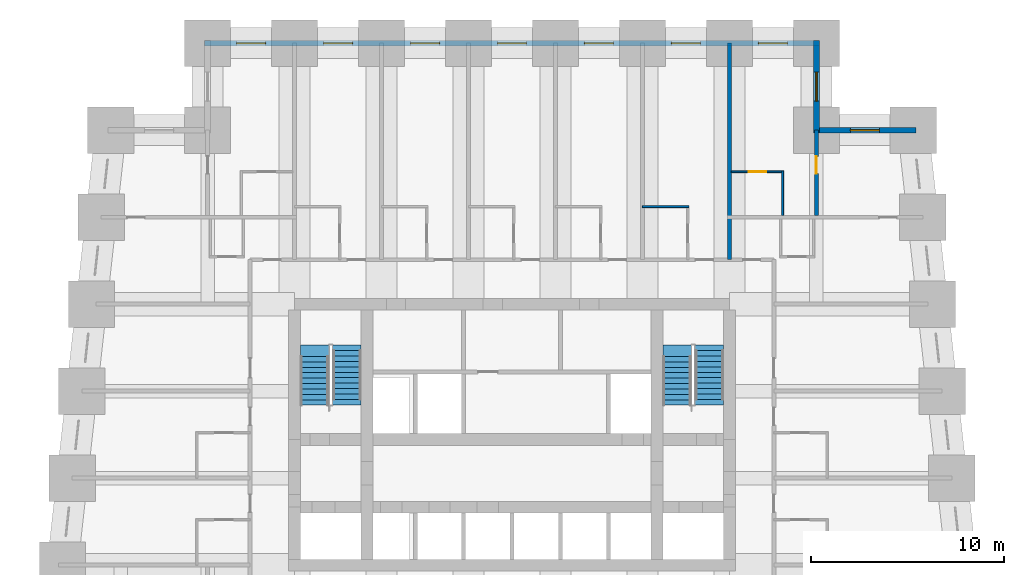
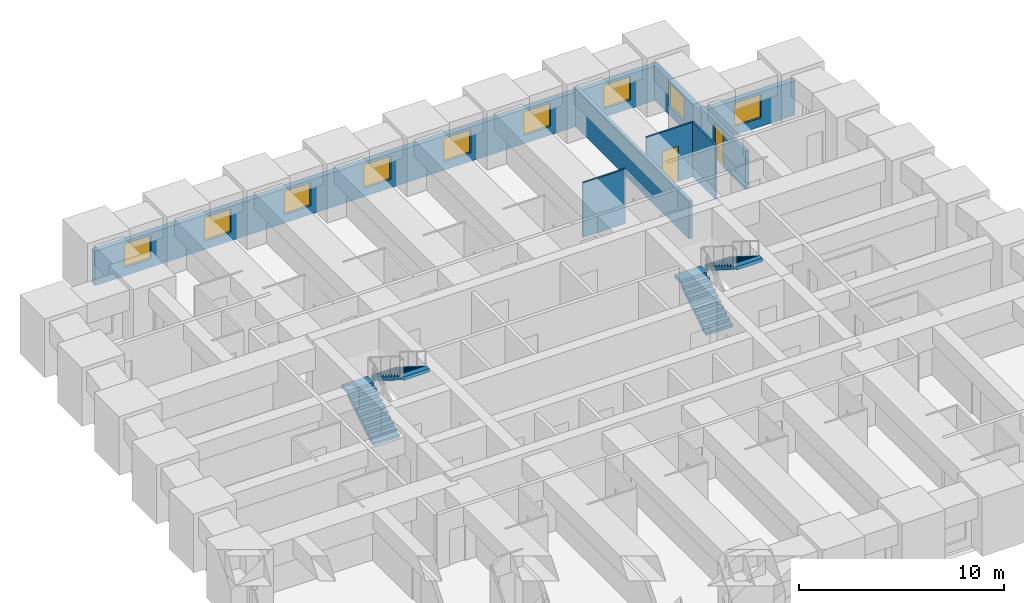
# One storey, part 7 of 8: 9 windows, 8 walls, 4 stair flights, 2 doors, 11 openings, 2 elements without a shape of their own.
"""IFC4 building model written with IfcOpenShell, lengths in metres."""

from ifc_helpers import new_model, si_unit, direction, frame, frame_2d, origin, place, context, subcontext, project, spatial, polyline, rectangle, outline, extrude, material, layer, layer_set, type_object, element, fill, aggregate, save


model = new_model("IFC4")

# Units and contexts
model_context = context("Model", 3, precision=1e-05, world=origin(), true_north=direction((0.0, 1.0)))
body_context = subcontext(model_context, "Body", "Model", "MODEL_VIEW")
ifc_project = project(units=[si_unit("LENGTHUNIT", "METRE"), si_unit("AREAUNIT", "SQUARE_METRE"), si_unit("VOLUMEUNIT", "CUBIC_METRE"), si_unit("PLANEANGLEUNIT", "RADIAN"), si_unit("MASSUNIT", "GRAM", prefix="KILO")], contexts=[model_context])

# Site, building, storey
site_placement = place(None, origin())
site = spatial("IfcSite", under=ifc_project, at=site_placement, CompositionType="ELEMENT")
building_placement = place(site_placement, origin())
building = spatial("IfcBuilding", under=site, at=building_placement, Name="Kilele Tower Hotel", CompositionType="ELEMENT")
storey_placement = place(building_placement, frame((0.0, 0.0, 29.699951171875)))
storey = spatial("IfcBuildingStorey", under=building, at=storey_placement, Name="L05", CompositionType="ELEMENT", Elevation=29.699951171875)

# Walls
ifc_material_1 = material(Name="Moisture-resistant board")
ifc_layer_1 = layer(ifc_material_1, 0.10009765625)
ifc_layer_set_1 = layer_set([ifc_layer_1], Name="Moisture-resistant board")
wall_type_1 = type_object("IfcWallType", Name="Bathroom partition 100", PredefinedType="PLUMBINGWALL", material=ifc_layer_set_1)
wall_1_placement = place(storey_placement, frame((31.5, 32.050048828125, 0.0), z_axis=(0.0, 0.0, 1.0), x_axis=(1.0, 0.0, 0.0)))
element("IfcWall", 1, at=wall_1_placement, inside=storey, type_object=wall_type_1, Name="Bathroom partition 100 L05", PredefinedType="PLUMBINGWALL", context=body_context, shape_type="SweptSolid", body=[
    extrude(rectangle(XDim=2.39990234375, YDim=0.10009765625, at=frame_2d((1.199951171875, 0.0))), origin(), (0.0, 0.0, 1.0), 3.25),
])
wall_2_placement = place(storey_placement, frame((38.75, 31.60009765625, 0.0), z_axis=(0.0, 0.0, 1.0), x_axis=(0.0, 1.0, 0.0)))
element("IfcWall", 2, at=wall_2_placement, inside=storey, type_object=wall_type_1, Name="Bathroom partition 100 L05", PredefinedType="PLUMBINGWALL", context=body_context, shape_type="SweptSolid", body=[
    extrude(rectangle(XDim=2.2998046875, YDim=0.10009765625, at=frame_2d((1.14990234375, 0.0))), origin(), (0.0, 0.0, 1.0), 3.25),
])

# Wall, opening, door
wall_3_placement = place(storey_placement, frame((36.10009765625, 33.85009765625, 0.0), z_axis=(0.0, 0.0, 1.0), x_axis=(1.0, 0.0, 0.0)))
wall_3 = element("IfcWall", 3, at=wall_3_placement, inside=storey, type_object=wall_type_1, Name="Bathroom partition 100 L05", PredefinedType="PLUMBINGWALL", context=body_context, shape_type="SweptSolid", body=[
    extrude(rectangle(XDim=2.699951171875, YDim=0.10009765625, at=frame_2d((1.35009765625, 0.0))), origin(), (0.0, 0.0, 1.0), 3.25),
])
opening_1_placement = place(wall_3_placement, frame((0.89990234375, 0.0, 0.0)))
opening_1 = element("IfcOpeningElement", 4, at=opening_1_placement, cuts=wall_3, Name="Opening D2A", PredefinedType="OPENING", context=body_context, shape_type="SweptSolid", body=[
    extrude(rectangle(XDim=0.89990234375, YDim=2.10009765625, at=frame_2d((0.449951171875, 1.050048828125))), frame((0.0, 0.06005859375, 0.0), z_axis=(0.0, -1.0, 0.0), x_axis=(1.0, 0.0, 0.0)), (0.0, 0.0, 1.0), 0.1201171875),
])
ifc_material_2 = material(Name="Timber door leaf in hardwood frame", Category="wood")
door_type_1 = type_object("IfcDoorType", Name="Bathroom door 900", OperationType="SINGLE_SWING_LEFT", PredefinedType="DOOR", material=ifc_material_2)
door_1_placement = place(opening_1_placement, origin())
door_1 = element("IfcDoor", 5, at=door_1_placement, inside=storey, type_object=door_type_1, Name="Bathroom door 0524B", OperationType="SINGLE_SWING_LEFT", OverallHeight=2.10009765625, OverallWidth=0.89990234375, PredefinedType="DOOR", context=body_context, shape_type="SweptSolid", body=[
    extrude(rectangle(XDim=0.89990234375, YDim=2.10009765625, at=frame_2d((0.449951171875, 1.050048828125))), frame((0.0, 0.02490234375, 0.0), z_axis=(0.0, -1.0, 0.0), x_axis=(1.0, 0.0, 0.0)), (0.0, 0.0, 1.0), 0.050048828125),
])
fill(opening_1, door_1)

ifc_material_3 = material(Name="Blockwork, plastered both sides", Category="masonry")
ifc_layer_2 = layer(ifc_material_3, 0.199951171875)
ifc_layer_set_2 = layer_set([ifc_layer_2], Name="Blockwork, plastered both sides")
wall_type_2 = type_object("IfcWallType", Name="Partition wall 200", PredefinedType="PARTITIONING", material=ifc_layer_set_2)
wall_4_placement = place(storey_placement, frame((40.5, 31.60009765625, 0.0), z_axis=(0.0, 0.0, 1.0), x_axis=(0.0, 1.0, 0.0)))
wall_4 = element("IfcWall", 6, at=wall_4_placement, inside=storey, type_object=wall_type_2, Name="Partition wall 200 L05", PredefinedType="PARTITIONING", context=body_context, shape_type="SweptSolid", body=[
    extrude(rectangle(XDim=4.39990234375, YDim=0.199951171875, at=frame_2d((2.199951171875, 0.0))), origin(), (0.0, 0.0, 1.0), 2.25),
])
opening_2_placement = place(wall_4_placement, frame((2.14990234375, 0.0, 0.0)))
opening_2 = element("IfcOpeningElement", 7, at=opening_2_placement, cuts=wall_4, Name="Opening D3", PredefinedType="OPENING", context=body_context, shape_type="SweptSolid", body=[
    extrude(rectangle(XDim=0.89990234375, YDim=2.10009765625, at=frame_2d((0.449951171875, 1.050048828125))), frame((0.0, 0.10986328125, 0.0), z_axis=(0.0, -1.0, 0.0), x_axis=(1.0, 0.0, 0.0)), (0.0, 0.0, 1.0), 0.219970703125),
])
ifc_material_4 = material(Name="Timber door leaf in hardwood frame", Category="wood")
door_type_2 = type_object("IfcDoorType", Name="Suite internal door 900", OperationType="SINGLE_SWING_LEFT", PredefinedType="DOOR", material=ifc_material_4)
door_2_placement = place(opening_2_placement, origin())
door_2 = element("IfcDoor", 8, at=door_2_placement, inside=storey, type_object=door_type_2, Name="Suite door 0525", OperationType="SINGLE_SWING_RIGHT", OverallHeight=2.10009765625, OverallWidth=0.89990234375, PredefinedType="DOOR", context=body_context, shape_type="SweptSolid", body=[
    extrude(rectangle(XDim=0.89990234375, YDim=2.10009765625, at=frame_2d((0.449951171875, 1.050048828125))), frame((0.0, 0.02490234375, 0.0), z_axis=(0.0, -1.0, 0.0), x_axis=(1.0, 0.0, 0.0)), (0.0, 0.0, 1.0), 0.050048828125),
])
fill(opening_2, door_2)

# Wall
ifc_material_5 = material(Name="Blockwork, plastered both sides", Category="masonry")
ifc_layer_3 = layer(ifc_material_5, 0.199951171875)
ifc_layer_set_3 = layer_set([ifc_layer_3], Name="Blockwork, plastered both sides")
wall_type_3 = type_object("IfcWallType", Name="Party wall 200", PredefinedType="PARTITIONING", material=ifc_layer_set_3)
wall_5_placement = place(storey_placement, frame((36.0, 29.300048828125, 0.0), z_axis=(0.0, 0.0, 1.0), x_axis=(0.0, 1.0, 0.0)))
element("IfcWall", 9, at=wall_5_placement, inside=storey, type_object=wall_type_3, Name="Party wall 200 L05", PredefinedType="PARTITIONING", context=body_context, shape_type="SweptSolid", body=[
    extrude(rectangle(XDim=11.199951171875, YDim=0.199951171875, at=frame_2d((5.60009765625, 0.0))), origin(), (0.0, 0.0, 1.0), 2.25),
])

# Wall, opening, window
ifc_material_6 = material(Name="Concrete C40/50 precast", Category="concrete")
ifc_layer_4 = layer(ifc_material_6, 0.260009765625, Name="Precast backing", Category="LoadBearing")
ifc_material_7 = material(Name="Reconstituted stone finish", Category="masonry")
ifc_layer_5 = layer(ifc_material_7, 0.0400390625, Name="Face mix", Category="Finish")
ifc_layer_set_4 = layer_set([ifc_layer_4, ifc_layer_5], Name="Precast concrete C40/50, reconstituted stone finish")
wall_type_4 = type_object("IfcWallType", Name="Precast stone facade wall 300", PredefinedType="STANDARD", material=ifc_layer_set_4)
wall_6_placement = place(storey_placement, frame((45.64990234375, 36.0, 0.0), z_axis=(0.0, 0.0, 1.0), x_axis=(-1.0, 0.0, 0.0)))
wall_6 = element("IfcWall", 10, at=wall_6_placement, inside=storey, type_object=wall_type_4, Name="Facade wall L05 edge 7", PredefinedType="STANDARD", context=body_context, shape_type="SweptSolid", body=[
    extrude(rectangle(XDim=5.2998046875, YDim=0.300048828125, at=frame_2d((2.64990234375, 0.0))), origin(), (0.0, 0.0, 1.0), 2.050048828125),
])
opening_3_placement = place(wall_6_placement, frame((1.89990234375, 0.0, 0.5)))
opening_3 = element("IfcOpeningElement", 11, at=opening_3_placement, cuts=wall_6, Name="Opening W1", PredefinedType="OPENING", context=body_context, shape_type="SweptSolid", body=[
    extrude(rectangle(XDim=1.5, YDim=1.39990234375, at=frame_2d((0.75, 0.699951171875))), frame((0.0, 0.159912109375, 0.0), z_axis=(0.0, -1.0, 0.0), x_axis=(1.0, 0.0, 0.0)), (0.0, 0.0, 1.0), 0.320068359375),
])
ifc_material_8 = material(Name="Aluminium frame, clear double glazing", Category="aluminium")
window_type = type_object("IfcWindowType", Name="Window W1 1500 x 1400", PartitioningType="SINGLE_PANEL", PredefinedType="WINDOW", material=ifc_material_8)
window_1_placement = place(opening_3_placement, origin())
window_1 = element("IfcWindow", 12, at=window_1_placement, inside=storey, type_object=window_type, Name="Window L05", OverallHeight=1.39990234375, OverallWidth=1.5, PartitioningType="SINGLE_PANEL", PredefinedType="WINDOW", context=body_context, shape_type="SweptSolid", body=[
    extrude(rectangle(XDim=1.5, YDim=1.39990234375, at=frame_2d((0.75, 0.699951171875))), frame((0.0, 0.030029296875, 0.0), z_axis=(0.0, -1.0, 0.0), x_axis=(1.0, 0.0, 0.0)), (0.0, 0.0, 1.0), 0.06005859375),
])
fill(opening_3, window_1)

wall_7_placement = place(storey_placement, frame((40.5, 35.85009765625, 0.0), z_axis=(0.0, 0.0, 1.0), x_axis=(0.0, 1.0, 0.0)))
wall_7 = element("IfcWall", 13, at=wall_7_placement, inside=storey, type_object=wall_type_4, Name="Facade wall L05 edge 8", PredefinedType="STANDARD", context=body_context, shape_type="SweptSolid", body=[
    extrude(rectangle(XDim=4.7998046875, YDim=0.300048828125, at=frame_2d((2.39990234375, 0.0))), origin(), (0.0, 0.0, 1.0), 2.050048828125),
])
opening_4_placement = place(wall_7_placement, frame((1.64990234375, 0.0, 0.5)))
opening_4 = element("IfcOpeningElement", 14, at=opening_4_placement, cuts=wall_7, Name="Opening W1", PredefinedType="OPENING", context=body_context, shape_type="SweptSolid", body=[
    extrude(rectangle(XDim=1.5, YDim=1.39990234375, at=frame_2d((0.75, 0.699951171875))), frame((0.0, 0.159912109375, 0.0), z_axis=(0.0, -1.0, 0.0), x_axis=(1.0, 0.0, 0.0)), (0.0, 0.0, 1.0), 0.320068359375),
])
window_2_placement = place(opening_4_placement, origin())
window_2 = element("IfcWindow", 15, at=window_2_placement, inside=storey, type_object=window_type, Name="Window L05", OverallHeight=1.39990234375, OverallWidth=1.5, PartitioningType="SINGLE_PANEL", PredefinedType="WINDOW", context=body_context, shape_type="SweptSolid", body=[
    extrude(rectangle(XDim=1.5, YDim=1.39990234375, at=frame_2d((0.75, 0.699951171875))), frame((0.0, 0.030029296875, 0.0), z_axis=(0.0, -1.0, 0.0), x_axis=(1.0, 0.0, 0.0)), (0.0, 0.0, 1.0), 0.06005859375),
])
fill(opening_4, window_2)

# Wall, openings, windows
wall_8_placement = place(storey_placement, frame((40.64990234375, 40.5, 0.0), z_axis=(0.0, 0.0, 1.0), x_axis=(-1.0, 0.0, 0.0)))
wall_8 = element("IfcWall", 16, at=wall_8_placement, inside=storey, type_object=wall_type_4, Name="Facade wall L05 edge 9", PredefinedType="STANDARD", context=body_context, shape_type="SweptSolid", body=[
    extrude(rectangle(XDim=31.7998046875, YDim=0.300048828125, at=frame_2d((15.89990234375, 0.0))), origin(), (0.0, 0.0, 1.0), 2.050048828125),
])
opening_5_placement = place(wall_8_placement, frame((1.64990234375, 0.0, 0.5)))
opening_5 = element("IfcOpeningElement", 17, at=opening_5_placement, cuts=wall_8, Name="Opening W1", PredefinedType="OPENING", context=body_context, shape_type="SweptSolid", body=[
    extrude(rectangle(XDim=1.5, YDim=1.39990234375, at=frame_2d((0.75, 0.699951171875))), frame((0.0, 0.159912109375, 0.0), z_axis=(0.0, -1.0, 0.0), x_axis=(1.0, 0.0, 0.0)), (0.0, 0.0, 1.0), 0.320068359375),
])
opening_6_placement = place(wall_8_placement, frame((6.14990234375, 0.0, 0.5)))
opening_6 = element("IfcOpeningElement", 18, at=opening_6_placement, cuts=wall_8, Name="Opening W1", PredefinedType="OPENING", context=body_context, shape_type="SweptSolid", body=[
    extrude(rectangle(XDim=1.5, YDim=1.39990234375, at=frame_2d((0.75, 0.699951171875))), frame((0.0, 0.159912109375, 0.0), z_axis=(0.0, -1.0, 0.0), x_axis=(1.0, 0.0, 0.0)), (0.0, 0.0, 1.0), 0.320068359375),
])
opening_7_placement = place(wall_8_placement, frame((10.64990234375, 0.0, 0.5)))
opening_7 = element("IfcOpeningElement", 19, at=opening_7_placement, cuts=wall_8, Name="Opening W1", PredefinedType="OPENING", context=body_context, shape_type="SweptSolid", body=[
    extrude(rectangle(XDim=1.5, YDim=1.39990234375, at=frame_2d((0.75, 0.699951171875))), frame((0.0, 0.159912109375, 0.0), z_axis=(0.0, -1.0, 0.0), x_axis=(1.0, 0.0, 0.0)), (0.0, 0.0, 1.0), 0.320068359375),
])
opening_8_placement = place(wall_8_placement, frame((15.14990234375, 0.0, 0.5)))
opening_8 = element("IfcOpeningElement", 20, at=opening_8_placement, cuts=wall_8, Name="Opening W1", PredefinedType="OPENING", context=body_context, shape_type="SweptSolid", body=[
    extrude(rectangle(XDim=1.5, YDim=1.39990234375, at=frame_2d((0.75, 0.699951171875))), frame((0.0, 0.159912109375, 0.0), z_axis=(0.0, -1.0, 0.0), x_axis=(1.0, 0.0, 0.0)), (0.0, 0.0, 1.0), 0.320068359375),
])
opening_9_placement = place(wall_8_placement, frame((19.64990234375, 0.0, 0.5)))
opening_9 = element("IfcOpeningElement", 21, at=opening_9_placement, cuts=wall_8, Name="Opening W1", PredefinedType="OPENING", context=body_context, shape_type="SweptSolid", body=[
    extrude(rectangle(XDim=1.5, YDim=1.39990234375, at=frame_2d((0.75, 0.699951171875))), frame((0.0, 0.159912109375, 0.0), z_axis=(0.0, -1.0, 0.0), x_axis=(1.0, 0.0, 0.0)), (0.0, 0.0, 1.0), 0.320068359375),
])
opening_10_placement = place(wall_8_placement, frame((24.14990234375, 0.0, 0.5)))
opening_10 = element("IfcOpeningElement", 22, at=opening_10_placement, cuts=wall_8, Name="Opening W1", PredefinedType="OPENING", context=body_context, shape_type="SweptSolid", body=[
    extrude(rectangle(XDim=1.5, YDim=1.39990234375, at=frame_2d((0.75, 0.699951171875))), frame((0.0, 0.159912109375, 0.0), z_axis=(0.0, -1.0, 0.0), x_axis=(1.0, 0.0, 0.0)), (0.0, 0.0, 1.0), 0.320068359375),
])
opening_11_placement = place(wall_8_placement, frame((28.64990234375, 0.0, 0.5)))
opening_11 = element("IfcOpeningElement", 23, at=opening_11_placement, cuts=wall_8, Name="Opening W1", PredefinedType="OPENING", context=body_context, shape_type="SweptSolid", body=[
    extrude(rectangle(XDim=1.5, YDim=1.39990234375, at=frame_2d((0.75, 0.699951171875))), frame((0.0, 0.159912109375, 0.0), z_axis=(0.0, -1.0, 0.0), x_axis=(1.0, 0.0, 0.0)), (0.0, 0.0, 1.0), 0.320068359375),
])
window_3_placement = place(opening_5_placement, origin())
window_3 = element("IfcWindow", 24, at=window_3_placement, inside=storey, type_object=window_type, Name="Window L05", OverallHeight=1.39990234375, OverallWidth=1.5, PartitioningType="SINGLE_PANEL", PredefinedType="WINDOW", context=body_context, shape_type="SweptSolid", body=[
    extrude(rectangle(XDim=1.5, YDim=1.39990234375, at=frame_2d((0.75, 0.699951171875))), frame((0.0, 0.030029296875, 0.0), z_axis=(0.0, -1.0, 0.0), x_axis=(1.0, 0.0, 0.0)), (0.0, 0.0, 1.0), 0.06005859375),
])
fill(opening_5, window_3)
window_4_placement = place(opening_6_placement, origin())
window_4 = element("IfcWindow", 25, at=window_4_placement, inside=storey, type_object=window_type, Name="Window L05", OverallHeight=1.39990234375, OverallWidth=1.5, PartitioningType="SINGLE_PANEL", PredefinedType="WINDOW", context=body_context, shape_type="SweptSolid", body=[
    extrude(rectangle(XDim=1.5, YDim=1.39990234375, at=frame_2d((0.75, 0.699951171875))), frame((0.0, 0.030029296875, 0.0), z_axis=(0.0, -1.0, 0.0), x_axis=(1.0, 0.0, 0.0)), (0.0, 0.0, 1.0), 0.06005859375),
])
fill(opening_6, window_4)
window_5_placement = place(opening_7_placement, origin())
window_5 = element("IfcWindow", 26, at=window_5_placement, inside=storey, type_object=window_type, Name="Window L05", OverallHeight=1.39990234375, OverallWidth=1.5, PartitioningType="SINGLE_PANEL", PredefinedType="WINDOW", context=body_context, shape_type="SweptSolid", body=[
    extrude(rectangle(XDim=1.5, YDim=1.39990234375, at=frame_2d((0.75, 0.699951171875))), frame((0.0, 0.030029296875, 0.0), z_axis=(0.0, -1.0, 0.0), x_axis=(1.0, 0.0, 0.0)), (0.0, 0.0, 1.0), 0.06005859375),
])
fill(opening_7, window_5)
window_6_placement = place(opening_8_placement, origin())
window_6 = element("IfcWindow", 27, at=window_6_placement, inside=storey, type_object=window_type, Name="Window L05", OverallHeight=1.39990234375, OverallWidth=1.5, PartitioningType="SINGLE_PANEL", PredefinedType="WINDOW", context=body_context, shape_type="SweptSolid", body=[
    extrude(rectangle(XDim=1.5, YDim=1.39990234375, at=frame_2d((0.75, 0.699951171875))), frame((0.0, 0.030029296875, 0.0), z_axis=(0.0, -1.0, 0.0), x_axis=(1.0, 0.0, 0.0)), (0.0, 0.0, 1.0), 0.06005859375),
])
fill(opening_8, window_6)
window_7_placement = place(opening_9_placement, origin())
window_7 = element("IfcWindow", 28, at=window_7_placement, inside=storey, type_object=window_type, Name="Window L05", OverallHeight=1.39990234375, OverallWidth=1.5, PartitioningType="SINGLE_PANEL", PredefinedType="WINDOW", context=body_context, shape_type="SweptSolid", body=[
    extrude(rectangle(XDim=1.5, YDim=1.39990234375, at=frame_2d((0.75, 0.699951171875))), frame((0.0, 0.030029296875, 0.0), z_axis=(0.0, -1.0, 0.0), x_axis=(1.0, 0.0, 0.0)), (0.0, 0.0, 1.0), 0.06005859375),
])
fill(opening_9, window_7)
window_8_placement = place(opening_10_placement, origin())
window_8 = element("IfcWindow", 29, at=window_8_placement, inside=storey, type_object=window_type, Name="Window L05", OverallHeight=1.39990234375, OverallWidth=1.5, PartitioningType="SINGLE_PANEL", PredefinedType="WINDOW", context=body_context, shape_type="SweptSolid", body=[
    extrude(rectangle(XDim=1.5, YDim=1.39990234375, at=frame_2d((0.75, 0.699951171875))), frame((0.0, 0.030029296875, 0.0), z_axis=(0.0, -1.0, 0.0), x_axis=(1.0, 0.0, 0.0)), (0.0, 0.0, 1.0), 0.06005859375),
])
fill(opening_10, window_8)
window_9_placement = place(opening_11_placement, origin())
window_9 = element("IfcWindow", 30, at=window_9_placement, inside=storey, type_object=window_type, Name="Window L05", OverallHeight=1.39990234375, OverallWidth=1.5, PartitioningType="SINGLE_PANEL", PredefinedType="WINDOW", context=body_context, shape_type="SweptSolid", body=[
    extrude(rectangle(XDim=1.5, YDim=1.39990234375, at=frame_2d((0.75, 0.699951171875))), frame((0.0, 0.030029296875, 0.0), z_axis=(0.0, -1.0, 0.0), x_axis=(1.0, 0.0, 0.0)), (0.0, 0.0, 1.0), 0.06005859375),
])
fill(opening_11, window_9)

# Stair, stair flights
ifc_material_9 = material(Name="Precast concrete C40/50", Category="concrete")
stair_type = type_object("IfcStairType", Name="Stair 1475 x 3500", PredefinedType="HALF_TURN_STAIR", material=ifc_material_9)
stair_1_placement = place(storey_placement, origin())
stair_1 = element("IfcStair", 31, at=stair_1_placement, inside=storey, type_object=stair_type, Name="Stair 1 L05", PredefinedType="HALF_TURN_STAIR")
ifc_material_10 = material(Name="Precast concrete C40/50", Category="concrete")
stair_flight_type = type_object("IfcStairFlightType", Name="Flight 1475 riser 175.0", PredefinedType="STRAIGHT", material=ifc_material_10)
stair_flight_1_placement = place(storey_placement, frame((14.53759765625, 21.77490234375, 0.0), z_axis=(0.0, 0.0, 1.0), x_axis=(0.0, 1.0, 0.0)))
stair_flight_1 = element("IfcStairFlight", 32, at=stair_flight_1_placement, type_object=stair_flight_type, Name="ST1 flight 1", NumberOfRisers=10, NumberOfTreads=9, PredefinedType="STRAIGHT", RiserHeight=0.175, TreadLength=0.28, context=body_context, shape_type="SweptSolid", body=[
    extrude(outline(polyline([(0.0, 0.0), (0.0, 0.175048828125), (0.280029296875, 0.175048828125), (0.280029296875, 0.35009765625), (0.56005859375, 0.35009765625), (0.56005859375, 0.52490234375), (0.840087890625, 0.52490234375), (0.840087890625, 0.699951171875), (1.1201171875, 0.699951171875), (1.1201171875, 0.875), (1.39990234375, 0.875), (1.39990234375, 1.050048828125), (1.679931640625, 1.050048828125), (1.679931640625, 1.22509765625), (1.9599609375, 1.22509765625), (1.9599609375, 1.39990234375), (2.239990234375, 1.39990234375), (2.239990234375, 1.574951171875), (2.52001953125, 1.574951171875), (2.52001953125, 1.75), (2.52001953125, 1.398193359375), (0.28271484375, 0.0), (0.0, 0.0)])), frame((0.0, 0.737548828125, 0.0), z_axis=(0.0, -1.0, 0.0), x_axis=(1.0, 0.0, 0.0)), (0.0, 0.0, 1.0), 1.47509765625),
    extrude(outline(polyline([(2.52001953125, 0.737548828125), (2.52001953125, -0.7373046875), (3.1201171875, -0.7373046875), (3.1201171875, 0.737548828125), (2.52001953125, 0.737548828125)])), frame((0.0, 0.0, 1.550048828125)), (0.0, 0.0, 1.0), 0.199951171875),
])
stair_flight_2_placement = place(storey_placement, frame((16.21240234375, 24.594970703125, 1.75), z_axis=(0.0, 0.0, 1.0), x_axis=(0.0, -1.0, 0.0)))
stair_flight_2 = element("IfcStairFlight", 33, at=stair_flight_2_placement, type_object=stair_flight_type, Name="ST1 flight 2", NumberOfRisers=10, NumberOfTreads=9, PredefinedType="STRAIGHT", RiserHeight=0.175, TreadLength=0.28, context=body_context, shape_type="SweptSolid", body=[
    extrude(outline(polyline([(0.0, 0.0), (0.0, 0.175048828125), (0.280029296875, 0.175048828125), (0.280029296875, 0.35009765625), (0.56005859375, 0.35009765625), (0.56005859375, 0.52490234375), (0.840087890625, 0.52490234375), (0.840087890625, 0.699951171875), (1.1201171875, 0.699951171875), (1.1201171875, 0.875), (1.39990234375, 0.875), (1.39990234375, 1.050048828125), (1.679931640625, 1.050048828125), (1.679931640625, 1.22509765625), (1.9599609375, 1.22509765625), (1.9599609375, 1.39990234375), (2.239990234375, 1.39990234375), (2.239990234375, 1.574951171875), (2.52001953125, 1.574951171875), (2.52001953125, 1.75), (2.52001953125, 1.398193359375), (0.28271484375, 0.0), (0.0, 0.0)])), frame((0.0, 0.737548828125, 0.0), z_axis=(0.0, -1.0, 0.0), x_axis=(1.0, 0.0, 0.0)), (0.0, 0.0, 1.0), 1.47509765625),
    extrude(outline(polyline([(0.0, -0.7373046875), (0.0, 0.737548828125), (-0.300048828125, 0.737548828125), (-0.300048828125, -0.7373046875), (0.0, -0.7373046875)])), frame((0.0, 0.0, -0.199951171875)), (0.0, 0.0, 1.0), 0.199951171875),
    extrude(outline(polyline([(2.820068359375, -0.7373046875), (2.820068359375, 0.737548828125), (2.52001953125, 0.737548828125), (2.52001953125, -0.7373046875), (2.820068359375, -0.7373046875)])), frame((0.0, 0.0, 1.550048828125)), (0.0, 0.0, 1.0), 0.199951171875),
])
aggregate(stair_1, [stair_flight_1, stair_flight_2])

stair_2_placement = place(storey_placement, origin())
stair_2 = element("IfcStair", 34, at=stair_2_placement, inside=storey, type_object=stair_type, Name="Stair 2 L05", PredefinedType="HALF_TURN_STAIR")
stair_flight_3_placement = place(storey_placement, frame((33.28759765625, 21.77490234375, 0.0), z_axis=(0.0, 0.0, 1.0), x_axis=(0.0, 1.0, 0.0)))
stair_flight_3 = element("IfcStairFlight", 35, at=stair_flight_3_placement, type_object=stair_flight_type, Name="ST2 flight 1", NumberOfRisers=10, NumberOfTreads=9, PredefinedType="STRAIGHT", RiserHeight=0.175, TreadLength=0.28, context=body_context, shape_type="SweptSolid", body=[
    extrude(outline(polyline([(0.0, 0.0), (0.0, 0.175048828125), (0.280029296875, 0.175048828125), (0.280029296875, 0.35009765625), (0.56005859375, 0.35009765625), (0.56005859375, 0.52490234375), (0.840087890625, 0.52490234375), (0.840087890625, 0.699951171875), (1.1201171875, 0.699951171875), (1.1201171875, 0.875), (1.39990234375, 0.875), (1.39990234375, 1.050048828125), (1.679931640625, 1.050048828125), (1.679931640625, 1.22509765625), (1.9599609375, 1.22509765625), (1.9599609375, 1.39990234375), (2.239990234375, 1.39990234375), (2.239990234375, 1.574951171875), (2.52001953125, 1.574951171875), (2.52001953125, 1.75), (2.52001953125, 1.398193359375), (0.28271484375, 0.0), (0.0, 0.0)])), frame((0.0, 0.737548828125, 0.0), z_axis=(0.0, -1.0, 0.0), x_axis=(1.0, 0.0, 0.0)), (0.0, 0.0, 1.0), 1.47509765625),
    extrude(outline(polyline([(2.52001953125, 0.737548828125), (2.52001953125, -0.7373046875), (3.1201171875, -0.7373046875), (3.1201171875, 0.737548828125), (2.52001953125, 0.737548828125)])), frame((0.0, 0.0, 1.550048828125)), (0.0, 0.0, 1.0), 0.199951171875),
])
stair_flight_4_placement = place(storey_placement, frame((34.96240234375, 24.594970703125, 1.75), z_axis=(0.0, 0.0, 1.0), x_axis=(0.0, -1.0, 0.0)))
stair_flight_4 = element("IfcStairFlight", 36, at=stair_flight_4_placement, type_object=stair_flight_type, Name="ST2 flight 2", NumberOfRisers=10, NumberOfTreads=9, PredefinedType="STRAIGHT", RiserHeight=0.175, TreadLength=0.28, context=body_context, shape_type="SweptSolid", body=[
    extrude(outline(polyline([(0.0, 0.0), (0.0, 0.175048828125), (0.280029296875, 0.175048828125), (0.280029296875, 0.35009765625), (0.56005859375, 0.35009765625), (0.56005859375, 0.52490234375), (0.840087890625, 0.52490234375), (0.840087890625, 0.699951171875), (1.1201171875, 0.699951171875), (1.1201171875, 0.875), (1.39990234375, 0.875), (1.39990234375, 1.050048828125), (1.679931640625, 1.050048828125), (1.679931640625, 1.22509765625), (1.9599609375, 1.22509765625), (1.9599609375, 1.39990234375), (2.239990234375, 1.39990234375), (2.239990234375, 1.574951171875), (2.52001953125, 1.574951171875), (2.52001953125, 1.75), (2.52001953125, 1.398193359375), (0.28271484375, 0.0), (0.0, 0.0)])), frame((0.0, 0.737548828125, 0.0), z_axis=(0.0, -1.0, 0.0), x_axis=(1.0, 0.0, 0.0)), (0.0, 0.0, 1.0), 1.47509765625),
    extrude(outline(polyline([(0.0, -0.7373046875), (0.0, 0.737548828125), (-0.300048828125, 0.737548828125), (-0.300048828125, -0.7373046875), (0.0, -0.7373046875)])), frame((0.0, 0.0, -0.199951171875)), (0.0, 0.0, 1.0), 0.199951171875),
    extrude(outline(polyline([(2.820068359375, -0.7373046875), (2.820068359375, 0.737548828125), (2.52001953125, 0.737548828125), (2.52001953125, -0.7373046875), (2.820068359375, -0.7373046875)])), frame((0.0, 0.0, 1.550048828125)), (0.0, 0.0, 1.0), 0.199951171875),
])
aggregate(stair_2, [stair_flight_3, stair_flight_4])

save(model, "model.ifc")
